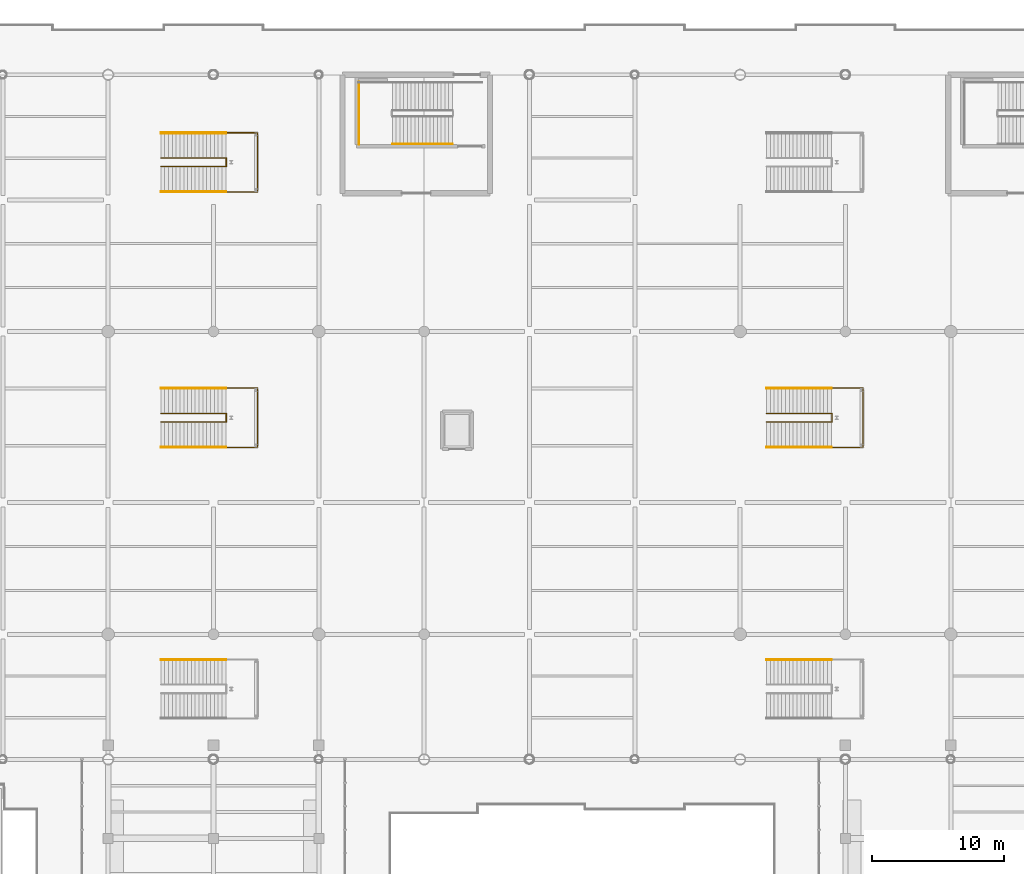
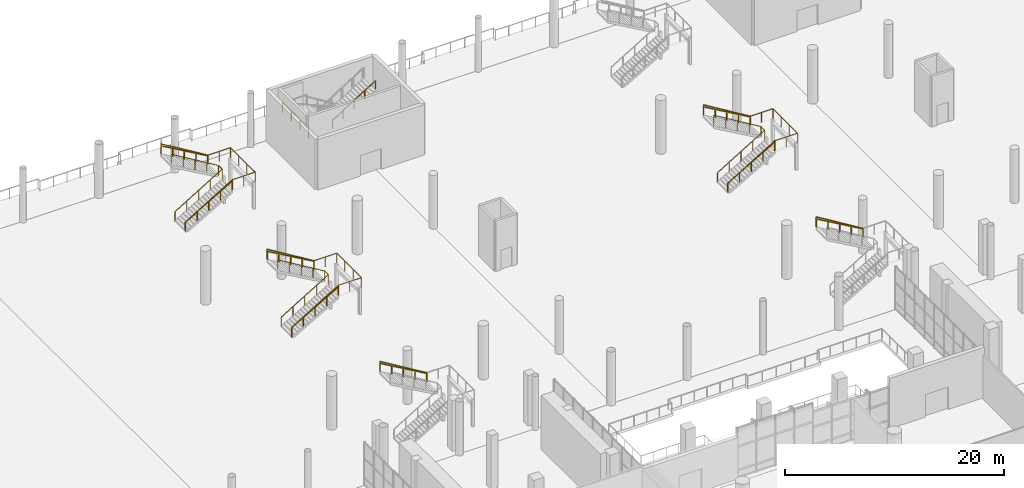
# One storey, part 160 of 163: 24 railings, 5 elements without a shape of their own.
"""IFC4 building model written with IfcOpenShell, lengths in metres."""

import ifcopenshell
import ifcopenshell.guid

model = None  # the IFC model being written
_history = None  # IfcOwnerHistory: only IFC2X3 demands one
_inside = {}  # id of a spatial element -> (the spatial element, [elements in it])
_under = {}  # id of a project, library or spatial element -> (it, [spatial elements below it])
_declared = {}  # id of a project -> (the project, [libraries it declares])
_typed = {}  # id of a type object -> (the type object, [elements of that type])
_made_of = {}  # id of a material, layer set ... -> (it, [elements and type objects made of it])


def new_model(schema):
    """Start an empty IFC model of exactly this schema.

    Asked for "IFC4X3", IfcOpenShell would pick the latest addendum, in which some entities
    have other attributes; the version numbers below select the first issue.
    IFC2X3 requires an IfcOwnerHistory on every rooted entity: one is made here for all.
    """
    global model, _history
    if schema == "IFC4X3":
        model = ifcopenshell.file(schema_version=(4, 3, 0, 0))
    else:
        model = ifcopenshell.file(schema=schema)
    _inside.clear()
    _under.clear()
    _declared.clear()
    _typed.clear()
    _made_of.clear()
    _history = None
    if model.schema == "IFC2X3":
        org = make("IfcOrganization", Name="unknown")
        user = make(
            "IfcPersonAndOrganization",
            ThePerson=make("IfcPerson", FamilyName="unknown"),
            TheOrganization=org,
        )
        app = make(
            "IfcApplication",
            ApplicationDeveloper=org,
            Version="unknown",
            ApplicationFullName="unknown",
            ApplicationIdentifier="unknown",
        )
        _history = make(
            "IfcOwnerHistory",
            OwningUser=user,
            OwningApplication=app,
            ChangeAction="ADDED",
            CreationDate=0,
        )
    return model


def make(cls, **values):
    """One entity of the class cls with the attributes given. An attribute that is None is left unset."""
    return model.create_entity(
        cls, **{name: value for name, value in values.items() if value is not None}
    )


def rooted(cls, **values):
    """An entity with a GlobalId (a new one), such as an element, a storey or a relation."""
    return make(cls, GlobalId=ifcopenshell.guid.new(), OwnerHistory=_history, **values)


def si_unit(unit_type, name, prefix=None):
    """IfcSIUnit, for example si_unit("LENGTHUNIT", "METRE", prefix="MILLI")."""
    return make("IfcSIUnit", UnitType=unit_type, Prefix=prefix, Name=name)


def assignment(units):
    """IfcUnitAssignment: the units of a project."""
    return None if units is None else make("IfcUnitAssignment", Units=units)


def point(xyz):
    """IfcCartesianPoint."""
    return None if xyz is None else make("IfcCartesianPoint", Coordinates=xyz)


def direction(xyz):
    """IfcDirection."""
    return None if xyz is None else make("IfcDirection", DirectionRatios=xyz)


def frame(location, z_axis=None, x_axis=None):
    """IfcAxis2Placement3D, a coordinate frame: its origin and axes. An axis left out is left unset."""
    return make(
        "IfcAxis2Placement3D",
        Location=point(location),
        Axis=direction(z_axis),
        RefDirection=direction(x_axis),
    )


def frame_2d(location, x_axis=None):
    """IfcAxis2Placement2D, a coordinate frame in the plane: its origin and x axis."""
    return make(
        "IfcAxis2Placement2D", Location=point(location), RefDirection=direction(x_axis)
    )


def origin():
    """The frame at (0, 0, 0) with its axes left unset."""
    return frame((0.0, 0.0, 0.0))


def origin_2d():
    """The frame at (0, 0) in the plane with its x axis left unset."""
    return frame_2d((0.0, 0.0))


def place(relative_to, where):
    """IfcLocalPlacement: puts the frame where relative to a parent placement (None: the world)."""
    return make(
        "IfcLocalPlacement", PlacementRelTo=relative_to, RelativePlacement=where
    )


def context(
    kind, dimensions, precision=None, world=None, true_north=None, identifier=None
):
    """IfcGeometricRepresentationContext, for example the 3D "Model" context."""
    return make(
        "IfcGeometricRepresentationContext",
        ContextIdentifier=identifier,
        ContextType=kind,
        CoordinateSpaceDimension=dimensions,
        Precision=precision,
        WorldCoordinateSystem=world,
        TrueNorth=true_north,
    )


def subcontext(parent, identifier, kind, view, scale=None):
    """IfcGeometricRepresentationSubContext, for example "Body" below "Model"."""
    return make(
        "IfcGeometricRepresentationSubContext",
        ContextIdentifier=identifier,
        ContextType=kind,
        ParentContext=parent,
        TargetScale=scale,
        TargetView=view,
    )


def project(units=None, contexts=None):
    """IfcProject with its units and contexts."""
    return rooted(
        "IfcProject",
        Name="project",
        RepresentationContexts=contexts,
        UnitsInContext=assignment(units),
    )


def spatial(cls, under=None, at=None, **own):
    """A site, building, storey or space (cls), placed at a placement, below another one or the project."""
    s = rooted(cls, ObjectPlacement=at, **own)
    if under is not None:
        _under.setdefault(under.id(), (under, []))[1].append(s)
    return s


def profile(cls, at=None, kind="AREA", **sizes):
    """A parametric profile (cls). Its sizes go by their IFC names, for example OverallWidth=200.0."""
    return make(cls, ProfileType=kind, Position=at, **sizes)


def rectangle(**sizes):
    """IfcRectangleProfileDef."""
    return profile("IfcRectangleProfileDef", **sizes)


def extrude(swept, where, along, depth):
    """IfcExtrudedAreaSolid: the profile swept, set in the frame where, extruded along a direction by depth."""
    return make(
        "IfcExtrudedAreaSolid",
        SweptArea=swept,
        Position=where,
        ExtrudedDirection=direction(along),
        Depth=depth,
    )


def shape(context_of_items, identifier, shape_type, items):
    """IfcShapeRepresentation: the items that make up one representation, for example the "Body"."""
    return make(
        "IfcShapeRepresentation",
        ContextOfItems=context_of_items,
        RepresentationIdentifier=identifier,
        RepresentationType=shape_type,
        Items=items,
    )


def material(Name=None, Category=None):
    """IfcMaterial."""
    return make("IfcMaterial", Name=Name, Category=Category)


def made_of(thing, what):
    """Note that an element or type object is made of a material, layer set ...; save() writes the relation."""
    if what is not None:
        _made_of.setdefault(what.id(), (what, []))[1].append(thing)
    return thing


def type_object(cls, material=None, **own):
    """A type object (cls), such as IfcWallType, which elements share."""
    return made_of(rooted(cls, **own), material)


def element(
    cls,
    number,
    at=None,
    inside=None,
    cuts=None,
    type_object=None,
    material=None,
    context=None,
    identifier="Body",
    shape_type=None,
    held_by="IfcProductDefinitionShape",
    body=None,
    shapes=None,
    **own,
):
    """One element of the class cls, such as IfcWall. Its Tag is "e" and its number.

    at: its placement. inside: the storey or other place that contains it. cuts: it is an
    opening in that element (IfcRelVoidsElement). A single representation is given by context,
    identifier, shape_type and body (its items); several are given by shapes. held_by: the class
    of the entity that holds the representations. save() writes the other relations.
    """
    e = rooted(cls, Tag="e%d" % number, ObjectPlacement=at, **own)
    if body is not None:
        shapes = [shape(context, identifier, shape_type, body)]
    if shapes is not None:
        e.Representation = make(held_by, Representations=shapes)
    if inside is not None:
        _inside.setdefault(inside.id(), (inside, []))[1].append(e)
    if cuts is not None:
        rooted(
            "IfcRelVoidsElement", RelatingBuildingElement=cuts, RelatedOpeningElement=e
        )
    if type_object is not None:
        _typed.setdefault(type_object.id(), (type_object, []))[1].append(e)
    return made_of(e, material)


def aggregate(whole, parts):
    """IfcRelAggregates: a whole, such as a stair, and the parts it consists of."""
    return rooted("IfcRelAggregates", RelatingObject=whole, RelatedObjects=parts)


def save(model, path):
    """Write the relations noted so far, then the file.

    IfcRelAggregates (storeys below a building ...), IfcRelContainedInSpatialStructure (elements
    in a storey), IfcRelDefinesByType, IfcRelAssociatesMaterial and IfcRelDeclares: one each for
    every whole, place, type object, material and project.
    """
    for whole, parts in _under.values():
        aggregate(whole, parts)
    for where, things in _inside.values():
        rooted(
            "IfcRelContainedInSpatialStructure",
            RelatedElements=things,
            RelatingStructure=where,
        )
    for kind, things in _typed.values():
        rooted("IfcRelDefinesByType", RelatedObjects=things, RelatingType=kind)
    for what, things in _made_of.values():
        rooted("IfcRelAssociatesMaterial", RelatedObjects=things, RelatingMaterial=what)
    for by, libraries in _declared.values():
        rooted("IfcRelDeclares", RelatingContext=by, RelatedDefinitions=libraries)
    model.write(path)


model = new_model("IFC4")

# Units and contexts
model_context = context("Model", 3, precision=1e-05, world=origin(), true_north=direction((0.0, 1.0)))
body_context = subcontext(model_context, "Body", "Model", "MODEL_VIEW")
ifc_project = project(units=[si_unit("LENGTHUNIT", "METRE"), si_unit("AREAUNIT", "SQUARE_METRE"), si_unit("VOLUMEUNIT", "CUBIC_METRE"), si_unit("PLANEANGLEUNIT", "RADIAN"), si_unit("MASSUNIT", "GRAM", prefix="KILO")], contexts=[model_context])

# Site, building, storey
site_placement = place(None, origin())
site = spatial("IfcSite", under=ifc_project, at=site_placement, CompositionType="ELEMENT")
building_placement = place(site_placement, origin())
building = spatial("IfcBuilding", under=site, at=building_placement, Name="Khorjan Park Terminus", CompositionType="ELEMENT")
storey_placement = place(building_placement, origin())
storey = spatial("IfcBuildingStorey", under=building, at=storey_placement, Name="L00", CompositionType="ELEMENT", Elevation=0.0)

# Railing
ifc_material_1 = material(Name="Steel S355", Category="steel")
railing_type_1 = type_object("IfcRailingType", Name="GR-112", PredefinedType="GUARDRAIL", material=ifc_material_1)
railing_1_placement = place(storey_placement, frame((75.05, 153.45, 3.0)))
element("IfcRailing", 1, at=railing_1_placement, inside=storey, type_object=railing_type_1, Name="L00 ST-06 stair guard 4", PredefinedType="GUARDRAIL", context=body_context, shape_type="SweptSolid", body=[
    extrude(rectangle(XDim=0.048, YDim=0.048, at=origin_2d()), frame((0.0, 0.0, 1.096), z_axis=(0.0, -1.0, 0.0), x_axis=(1.0, 0.0, 0.0)), (0.0, 0.0, 1.0), 4.76),
    extrude(rectangle(XDim=0.042, YDim=0.042, at=origin_2d()), origin(), (0.0, 0.0, 1.0), 1.072),
    extrude(rectangle(XDim=0.042, YDim=0.042, at=origin_2d()), frame((0.0, -1.5867, 0.0)), (0.0, 0.0, 1.0), 1.072),
    extrude(rectangle(XDim=0.042, YDim=0.042, at=origin_2d()), frame((0.0, -3.1733, 0.0)), (0.0, 0.0, 1.0), 1.072),
    extrude(rectangle(XDim=0.042, YDim=0.042, at=origin_2d()), frame((0.0, -4.76, 0.0)), (0.0, 0.0, 1.0), 1.072),
])

# Stair, railing
ifc_material_2 = material(Name="Concrete C40/50", Category="concrete")
stair_type = type_object("IfcStairType", Name="STR-PUB-200", PredefinedType="HALF_TURN_STAIR", material=ifc_material_2)
stair_1_placement = place(storey_placement, origin())
stair_1 = element("IfcStair", 2, at=stair_1_placement, inside=storey, type_object=stair_type, Name="Public passenger half-turn stair PS-01", PredefinedType="HALF_TURN_STAIR")
railing_2_placement = place(storey_placement, frame((64.93, 109.6, 3.0)))
railing_2 = element("IfcRailing", 3, at=railing_2_placement, type_object=railing_type_1, Name="Stair PS-01 upper outer flight guard GR-112", PredefinedType="GUARDRAIL", context=body_context, shape_type="SweptSolid", body=[
    extrude(rectangle(XDim=0.048, YDim=0.048, at=origin_2d()), frame((0.0, 0.0, 1.096), z_axis=(-0.854265470084, 0.0, 0.519837000051), x_axis=(0.0, -1.0, 0.0)), (0.0, 0.0, 1.0), 5.771),
    extrude(rectangle(XDim=0.042, YDim=0.042, at=origin_2d()), origin(), (0.0, 0.0, 1.0), 1.072),
    extrude(rectangle(XDim=0.042, YDim=0.042, at=origin_2d()), frame((-1.2325, 0.0, 0.75)), (0.0, 0.0, 1.0), 1.072),
    extrude(rectangle(XDim=0.042, YDim=0.042, at=origin_2d()), frame((-2.465, 0.0, 1.5)), (0.0, 0.0, 1.0), 1.072),
    extrude(rectangle(XDim=0.042, YDim=0.042, at=origin_2d()), frame((-3.6975, 0.0, 2.25)), (0.0, 0.0, 1.0), 1.072),
    extrude(rectangle(XDim=0.042, YDim=0.042, at=origin_2d()), frame((-4.93, 0.0, 3.0)), (0.0, 0.0, 1.0), 1.072),
])

stair_2_placement = place(storey_placement, origin())
stair_2 = element("IfcStair", 4, at=stair_2_placement, inside=storey, type_object=stair_type, Name="Public passenger half-turn stair PS-02", PredefinedType="HALF_TURN_STAIR")
railing_3_placement = place(storey_placement, frame((110.93, 109.6, 3.0)))
railing_3 = element("IfcRailing", 5, at=railing_3_placement, type_object=railing_type_1, Name="Stair PS-02 upper outer flight guard GR-112", PredefinedType="GUARDRAIL", context=body_context, shape_type="SweptSolid", body=[
    extrude(rectangle(XDim=0.048, YDim=0.048, at=origin_2d()), frame((0.0, 0.0, 1.096), z_axis=(-0.854265470084, 0.0, 0.519837000051), x_axis=(0.0, -1.0, 0.0)), (0.0, 0.0, 1.0), 5.771),
    extrude(rectangle(XDim=0.042, YDim=0.042, at=origin_2d()), origin(), (0.0, 0.0, 1.0), 1.072),
    extrude(rectangle(XDim=0.042, YDim=0.042, at=origin_2d()), frame((-1.2325, 0.0, 0.75)), (0.0, 0.0, 1.0), 1.072),
    extrude(rectangle(XDim=0.042, YDim=0.042, at=origin_2d()), frame((-2.465, 0.0, 1.5)), (0.0, 0.0, 1.0), 1.072),
    extrude(rectangle(XDim=0.042, YDim=0.042, at=origin_2d()), frame((-3.6975, 0.0, 2.25)), (0.0, 0.0, 1.0), 1.072),
    extrude(rectangle(XDim=0.042, YDim=0.042, at=origin_2d()), frame((-4.93, 0.0, 3.0)), (0.0, 0.0, 1.0), 1.072),
])

# Stair, railings
stair_3_placement = place(storey_placement, origin())
stair_3 = element("IfcStair", 6, at=stair_3_placement, inside=storey, type_object=stair_type, Name="Public passenger half-turn stair PS-03", PredefinedType="HALF_TURN_STAIR")
railing_4_placement = place(storey_placement, frame((60.0, 127.62, 0.0)))
railing_4 = element("IfcRailing", 7, at=railing_4_placement, type_object=railing_type_1, Name="Stair PS-03 inner well slot guard GR-112", PredefinedType="GUARDRAIL", context=body_context, shape_type="SweptSolid", body=[
    extrude(rectangle(XDim=0.048, YDim=0.048, at=origin_2d()), frame((0.0, 0.0, 1.096), z_axis=(0.856121964148, 0.0, 0.516773821418), x_axis=(0.0, 1.0, 0.0)), (0.0, 0.0, 1.0), 5.8052),
    extrude(rectangle(XDim=0.048, YDim=0.048, at=origin_2d()), frame((4.97, 0.0, 4.096), z_axis=(0.0, 1.0, 0.0), x_axis=(-1.0, 0.0, 0.0)), (0.0, 0.0, 1.0), 0.66),
    extrude(rectangle(XDim=0.048, YDim=0.048, at=origin_2d()), frame((4.97, 0.66, 4.096), z_axis=(-0.856121964148, 0.0, 0.516773821418), x_axis=(0.0, -1.0, 0.0)), (0.0, 0.0, 1.0), 5.8052),
    extrude(rectangle(XDim=0.042, YDim=0.042, at=origin_2d()), origin(), (0.0, 0.0, 1.0), 1.072),
    extrude(rectangle(XDim=0.042, YDim=0.042, at=origin_2d()), frame((1.2425, 0.0, 0.75)), (0.0, 0.0, 1.0), 1.072),
    extrude(rectangle(XDim=0.042, YDim=0.042, at=origin_2d()), frame((2.485, 0.0, 1.5)), (0.0, 0.0, 1.0), 1.072),
    extrude(rectangle(XDim=0.042, YDim=0.042, at=origin_2d()), frame((3.7275, 0.0, 2.25)), (0.0, 0.0, 1.0), 1.072),
    extrude(rectangle(XDim=0.042, YDim=0.042, at=origin_2d()), frame((4.97, 0.0, 3.0)), (0.0, 0.0, 1.0), 1.072),
    extrude(rectangle(XDim=0.042, YDim=0.042, at=origin_2d()), frame((4.97, 0.66, 3.0)), (0.0, 0.0, 1.0), 1.072),
    extrude(rectangle(XDim=0.042, YDim=0.042, at=origin_2d()), frame((3.7275, 0.66, 3.75)), (0.0, 0.0, 1.0), 1.072),
    extrude(rectangle(XDim=0.042, YDim=0.042, at=origin_2d()), frame((2.485, 0.66, 4.5)), (0.0, 0.0, 1.0), 1.072),
    extrude(rectangle(XDim=0.042, YDim=0.042, at=origin_2d()), frame((1.2425, 0.66, 5.25)), (0.0, 0.0, 1.0), 1.072),
    extrude(rectangle(XDim=0.042, YDim=0.042, at=origin_2d()), frame((0.0, 0.66, 6.0)), (0.0, 0.0, 1.0), 1.072),
])
railing_5_placement = place(storey_placement, frame((64.93, 125.7, 3.0)))
railing_5 = element("IfcRailing", 8, at=railing_5_placement, type_object=railing_type_1, Name="Stair PS-03 horizontal half-landing guard GR-112", PredefinedType="GUARDRAIL", context=body_context, shape_type="SweptSolid", body=[
    extrude(rectangle(XDim=0.048, YDim=0.048, at=origin_2d()), frame((0.0, 0.0, 1.096), z_axis=(1.0, 0.0, 0.0), x_axis=(0.0, 1.0, 0.0)), (0.0, 0.0, 1.0), 2.41),
    extrude(rectangle(XDim=0.048, YDim=0.048, at=origin_2d()), frame((2.41, 0.0, 1.096), z_axis=(0.0, 1.0, 0.0), x_axis=(-1.0, 0.0, 0.0)), (0.0, 0.0, 1.0), 4.5),
    extrude(rectangle(XDim=0.048, YDim=0.048, at=origin_2d()), frame((2.41, 4.5, 1.096), z_axis=(-1.0, 0.0, 0.0), x_axis=(0.0, -1.0, 0.0)), (0.0, 0.0, 1.0), 2.41),
    extrude(rectangle(XDim=0.042, YDim=0.042, at=origin_2d()), origin(), (0.0, 0.0, 1.0), 1.072),
    extrude(rectangle(XDim=0.042, YDim=0.042, at=origin_2d()), frame((1.205, 0.0, 0.0)), (0.0, 0.0, 1.0), 1.072),
    extrude(rectangle(XDim=0.042, YDim=0.042, at=origin_2d()), frame((2.41, 0.0, 0.0)), (0.0, 0.0, 1.0), 1.072),
    extrude(rectangle(XDim=0.042, YDim=0.042, at=origin_2d()), frame((2.41, 1.5, 0.0)), (0.0, 0.0, 1.0), 1.072),
    extrude(rectangle(XDim=0.042, YDim=0.042, at=origin_2d()), frame((2.41, 3.0, 0.0)), (0.0, 0.0, 1.0), 1.072),
    extrude(rectangle(XDim=0.042, YDim=0.042, at=origin_2d()), frame((2.41, 4.5, 0.0)), (0.0, 0.0, 1.0), 1.072),
    extrude(rectangle(XDim=0.042, YDim=0.042, at=origin_2d()), frame((1.205, 4.5, 0.0)), (0.0, 0.0, 1.0), 1.072),
    extrude(rectangle(XDim=0.042, YDim=0.042, at=origin_2d()), frame((0.0, 4.5, 0.0)), (0.0, 0.0, 1.0), 1.072),
])
railing_6_placement = place(storey_placement, frame((60.0, 125.7, 0.0)))
railing_6 = element("IfcRailing", 9, at=railing_6_placement, type_object=railing_type_1, Name="Stair PS-03 lower outer flight guard GR-112", PredefinedType="GUARDRAIL", context=body_context, shape_type="SweptSolid", body=[
    extrude(rectangle(XDim=0.048, YDim=0.048, at=origin_2d()), frame((0.0, 0.0, 1.096), z_axis=(0.854265470084, 0.0, 0.519837000051), x_axis=(0.0, 1.0, 0.0)), (0.0, 0.0, 1.0), 5.771),
    extrude(rectangle(XDim=0.042, YDim=0.042, at=origin_2d()), origin(), (0.0, 0.0, 1.0), 1.072),
    extrude(rectangle(XDim=0.042, YDim=0.042, at=origin_2d()), frame((1.2325, 0.0, 0.75)), (0.0, 0.0, 1.0), 1.072),
    extrude(rectangle(XDim=0.042, YDim=0.042, at=origin_2d()), frame((2.465, 0.0, 1.5)), (0.0, 0.0, 1.0), 1.072),
    extrude(rectangle(XDim=0.042, YDim=0.042, at=origin_2d()), frame((3.6975, 0.0, 2.25)), (0.0, 0.0, 1.0), 1.072),
    extrude(rectangle(XDim=0.042, YDim=0.042, at=origin_2d()), frame((4.93, 0.0, 3.0)), (0.0, 0.0, 1.0), 1.072),
])
railing_7_placement = place(storey_placement, frame((64.93, 130.2, 3.0)))
railing_7 = element("IfcRailing", 10, at=railing_7_placement, type_object=railing_type_1, Name="Stair PS-03 upper outer flight guard GR-112", PredefinedType="GUARDRAIL", context=body_context, shape_type="SweptSolid", body=[
    extrude(rectangle(XDim=0.048, YDim=0.048, at=origin_2d()), frame((0.0, 0.0, 1.096), z_axis=(-0.854265470084, 0.0, 0.519837000051), x_axis=(0.0, -1.0, 0.0)), (0.0, 0.0, 1.0), 5.771),
    extrude(rectangle(XDim=0.042, YDim=0.042, at=origin_2d()), origin(), (0.0, 0.0, 1.0), 1.072),
    extrude(rectangle(XDim=0.042, YDim=0.042, at=origin_2d()), frame((-1.2325, 0.0, 0.75)), (0.0, 0.0, 1.0), 1.072),
    extrude(rectangle(XDim=0.042, YDim=0.042, at=origin_2d()), frame((-2.465, 0.0, 1.5)), (0.0, 0.0, 1.0), 1.072),
    extrude(rectangle(XDim=0.042, YDim=0.042, at=origin_2d()), frame((-3.6975, 0.0, 2.25)), (0.0, 0.0, 1.0), 1.072),
    extrude(rectangle(XDim=0.042, YDim=0.042, at=origin_2d()), frame((-4.93, 0.0, 3.0)), (0.0, 0.0, 1.0), 1.072),
])

stair_4_placement = place(storey_placement, origin())
stair_4 = element("IfcStair", 11, at=stair_4_placement, inside=storey, type_object=stair_type, Name="Public passenger half-turn stair PS-04", PredefinedType="HALF_TURN_STAIR")
railing_8_placement = place(storey_placement, frame((106.0, 127.62, 0.0)))
railing_8 = element("IfcRailing", 12, at=railing_8_placement, type_object=railing_type_1, Name="Stair PS-04 inner well slot guard GR-112", PredefinedType="GUARDRAIL", context=body_context, shape_type="SweptSolid", body=[
    extrude(rectangle(XDim=0.048, YDim=0.048, at=origin_2d()), frame((0.0, 0.0, 1.096), z_axis=(0.856121964148, 0.0, 0.516773821418), x_axis=(0.0, 1.0, 0.0)), (0.0, 0.0, 1.0), 5.8052),
    extrude(rectangle(XDim=0.048, YDim=0.048, at=origin_2d()), frame((4.97, 0.0, 4.096), z_axis=(0.0, 1.0, 0.0), x_axis=(-1.0, 0.0, 0.0)), (0.0, 0.0, 1.0), 0.66),
    extrude(rectangle(XDim=0.048, YDim=0.048, at=origin_2d()), frame((4.97, 0.66, 4.096), z_axis=(-0.856121964148, 0.0, 0.516773821418), x_axis=(0.0, -1.0, 0.0)), (0.0, 0.0, 1.0), 5.8052),
    extrude(rectangle(XDim=0.042, YDim=0.042, at=origin_2d()), origin(), (0.0, 0.0, 1.0), 1.072),
    extrude(rectangle(XDim=0.042, YDim=0.042, at=origin_2d()), frame((1.2425, 0.0, 0.75)), (0.0, 0.0, 1.0), 1.072),
    extrude(rectangle(XDim=0.042, YDim=0.042, at=origin_2d()), frame((2.485, 0.0, 1.5)), (0.0, 0.0, 1.0), 1.072),
    extrude(rectangle(XDim=0.042, YDim=0.042, at=origin_2d()), frame((3.7275, 0.0, 2.25)), (0.0, 0.0, 1.0), 1.072),
    extrude(rectangle(XDim=0.042, YDim=0.042, at=origin_2d()), frame((4.97, 0.0, 3.0)), (0.0, 0.0, 1.0), 1.072),
    extrude(rectangle(XDim=0.042, YDim=0.042, at=origin_2d()), frame((4.97, 0.66, 3.0)), (0.0, 0.0, 1.0), 1.072),
    extrude(rectangle(XDim=0.042, YDim=0.042, at=origin_2d()), frame((3.7275, 0.66, 3.75)), (0.0, 0.0, 1.0), 1.072),
    extrude(rectangle(XDim=0.042, YDim=0.042, at=origin_2d()), frame((2.485, 0.66, 4.5)), (0.0, 0.0, 1.0), 1.072),
    extrude(rectangle(XDim=0.042, YDim=0.042, at=origin_2d()), frame((1.2425, 0.66, 5.25)), (0.0, 0.0, 1.0), 1.072),
    extrude(rectangle(XDim=0.042, YDim=0.042, at=origin_2d()), frame((0.0, 0.66, 6.0)), (0.0, 0.0, 1.0), 1.072),
])
railing_9_placement = place(storey_placement, frame((110.93, 125.7, 3.0)))
railing_9 = element("IfcRailing", 13, at=railing_9_placement, type_object=railing_type_1, Name="Stair PS-04 horizontal half-landing guard GR-112", PredefinedType="GUARDRAIL", context=body_context, shape_type="SweptSolid", body=[
    extrude(rectangle(XDim=0.048, YDim=0.048, at=origin_2d()), frame((0.0, 0.0, 1.096), z_axis=(1.0, 0.0, 0.0), x_axis=(0.0, 1.0, 0.0)), (0.0, 0.0, 1.0), 2.41),
    extrude(rectangle(XDim=0.048, YDim=0.048, at=origin_2d()), frame((2.41, 0.0, 1.096), z_axis=(0.0, 1.0, 0.0), x_axis=(-1.0, 0.0, 0.0)), (0.0, 0.0, 1.0), 4.5),
    extrude(rectangle(XDim=0.048, YDim=0.048, at=origin_2d()), frame((2.41, 4.5, 1.096), z_axis=(-1.0, 0.0, 0.0), x_axis=(0.0, -1.0, 0.0)), (0.0, 0.0, 1.0), 2.41),
    extrude(rectangle(XDim=0.042, YDim=0.042, at=origin_2d()), origin(), (0.0, 0.0, 1.0), 1.072),
    extrude(rectangle(XDim=0.042, YDim=0.042, at=origin_2d()), frame((1.205, 0.0, 0.0)), (0.0, 0.0, 1.0), 1.072),
    extrude(rectangle(XDim=0.042, YDim=0.042, at=origin_2d()), frame((2.41, 0.0, 0.0)), (0.0, 0.0, 1.0), 1.072),
    extrude(rectangle(XDim=0.042, YDim=0.042, at=origin_2d()), frame((2.41, 1.5, 0.0)), (0.0, 0.0, 1.0), 1.072),
    extrude(rectangle(XDim=0.042, YDim=0.042, at=origin_2d()), frame((2.41, 3.0, 0.0)), (0.0, 0.0, 1.0), 1.072),
    extrude(rectangle(XDim=0.042, YDim=0.042, at=origin_2d()), frame((2.41, 4.5, 0.0)), (0.0, 0.0, 1.0), 1.072),
    extrude(rectangle(XDim=0.042, YDim=0.042, at=origin_2d()), frame((1.205, 4.5, 0.0)), (0.0, 0.0, 1.0), 1.072),
    extrude(rectangle(XDim=0.042, YDim=0.042, at=origin_2d()), frame((0.0, 4.5, 0.0)), (0.0, 0.0, 1.0), 1.072),
])
railing_10_placement = place(storey_placement, frame((106.0, 125.7, 0.0)))
railing_10 = element("IfcRailing", 14, at=railing_10_placement, type_object=railing_type_1, Name="Stair PS-04 lower outer flight guard GR-112", PredefinedType="GUARDRAIL", context=body_context, shape_type="SweptSolid", body=[
    extrude(rectangle(XDim=0.048, YDim=0.048, at=origin_2d()), frame((0.0, 0.0, 1.096), z_axis=(0.854265470084, 0.0, 0.519837000051), x_axis=(0.0, 1.0, 0.0)), (0.0, 0.0, 1.0), 5.771),
    extrude(rectangle(XDim=0.042, YDim=0.042, at=origin_2d()), origin(), (0.0, 0.0, 1.0), 1.072),
    extrude(rectangle(XDim=0.042, YDim=0.042, at=origin_2d()), frame((1.2325, 0.0, 0.75)), (0.0, 0.0, 1.0), 1.072),
    extrude(rectangle(XDim=0.042, YDim=0.042, at=origin_2d()), frame((2.465, 0.0, 1.5)), (0.0, 0.0, 1.0), 1.072),
    extrude(rectangle(XDim=0.042, YDim=0.042, at=origin_2d()), frame((3.6975, 0.0, 2.25)), (0.0, 0.0, 1.0), 1.072),
    extrude(rectangle(XDim=0.042, YDim=0.042, at=origin_2d()), frame((4.93, 0.0, 3.0)), (0.0, 0.0, 1.0), 1.072),
])
railing_11_placement = place(storey_placement, frame((110.93, 130.2, 3.0)))
railing_11 = element("IfcRailing", 15, at=railing_11_placement, type_object=railing_type_1, Name="Stair PS-04 upper outer flight guard GR-112", PredefinedType="GUARDRAIL", context=body_context, shape_type="SweptSolid", body=[
    extrude(rectangle(XDim=0.048, YDim=0.048, at=origin_2d()), frame((0.0, 0.0, 1.096), z_axis=(-0.854265470084, 0.0, 0.519837000051), x_axis=(0.0, -1.0, 0.0)), (0.0, 0.0, 1.0), 5.771),
    extrude(rectangle(XDim=0.042, YDim=0.042, at=origin_2d()), origin(), (0.0, 0.0, 1.0), 1.072),
    extrude(rectangle(XDim=0.042, YDim=0.042, at=origin_2d()), frame((-1.2325, 0.0, 0.75)), (0.0, 0.0, 1.0), 1.072),
    extrude(rectangle(XDim=0.042, YDim=0.042, at=origin_2d()), frame((-2.465, 0.0, 1.5)), (0.0, 0.0, 1.0), 1.072),
    extrude(rectangle(XDim=0.042, YDim=0.042, at=origin_2d()), frame((-3.6975, 0.0, 2.25)), (0.0, 0.0, 1.0), 1.072),
    extrude(rectangle(XDim=0.042, YDim=0.042, at=origin_2d()), frame((-4.93, 0.0, 3.0)), (0.0, 0.0, 1.0), 1.072),
])

stair_5_placement = place(storey_placement, origin())
stair_5 = element("IfcStair", 16, at=stair_5_placement, inside=storey, type_object=stair_type, Name="Public passenger half-turn stair PS-05", PredefinedType="HALF_TURN_STAIR")
railing_12_placement = place(storey_placement, frame((60.0, 147.02, 0.0)))
railing_12 = element("IfcRailing", 17, at=railing_12_placement, type_object=railing_type_1, Name="Stair PS-05 inner well slot guard GR-112", PredefinedType="GUARDRAIL", context=body_context, shape_type="SweptSolid", body=[
    extrude(rectangle(XDim=0.048, YDim=0.048, at=origin_2d()), frame((0.0, 0.0, 1.096), z_axis=(0.856121964148, 0.0, 0.516773821418), x_axis=(0.0, 1.0, 0.0)), (0.0, 0.0, 1.0), 5.8052),
    extrude(rectangle(XDim=0.048, YDim=0.048, at=origin_2d()), frame((4.97, 0.0, 4.096), z_axis=(0.0, 1.0, 0.0), x_axis=(-1.0, 0.0, 0.0)), (0.0, 0.0, 1.0), 0.66),
    extrude(rectangle(XDim=0.048, YDim=0.048, at=origin_2d()), frame((4.97, 0.66, 4.096), z_axis=(-0.856121964148, 0.0, 0.516773821418), x_axis=(0.0, -1.0, 0.0)), (0.0, 0.0, 1.0), 5.8052),
    extrude(rectangle(XDim=0.042, YDim=0.042, at=origin_2d()), origin(), (0.0, 0.0, 1.0), 1.072),
    extrude(rectangle(XDim=0.042, YDim=0.042, at=origin_2d()), frame((1.2425, 0.0, 0.75)), (0.0, 0.0, 1.0), 1.072),
    extrude(rectangle(XDim=0.042, YDim=0.042, at=origin_2d()), frame((2.485, 0.0, 1.5)), (0.0, 0.0, 1.0), 1.072),
    extrude(rectangle(XDim=0.042, YDim=0.042, at=origin_2d()), frame((3.7275, 0.0, 2.25)), (0.0, 0.0, 1.0), 1.072),
    extrude(rectangle(XDim=0.042, YDim=0.042, at=origin_2d()), frame((4.97, 0.0, 3.0)), (0.0, 0.0, 1.0), 1.072),
    extrude(rectangle(XDim=0.042, YDim=0.042, at=origin_2d()), frame((4.97, 0.66, 3.0)), (0.0, 0.0, 1.0), 1.072),
    extrude(rectangle(XDim=0.042, YDim=0.042, at=origin_2d()), frame((3.7275, 0.66, 3.75)), (0.0, 0.0, 1.0), 1.072),
    extrude(rectangle(XDim=0.042, YDim=0.042, at=origin_2d()), frame((2.485, 0.66, 4.5)), (0.0, 0.0, 1.0), 1.072),
    extrude(rectangle(XDim=0.042, YDim=0.042, at=origin_2d()), frame((1.2425, 0.66, 5.25)), (0.0, 0.0, 1.0), 1.072),
    extrude(rectangle(XDim=0.042, YDim=0.042, at=origin_2d()), frame((0.0, 0.66, 6.0)), (0.0, 0.0, 1.0), 1.072),
])
railing_13_placement = place(storey_placement, frame((64.93, 145.1, 3.0)))
railing_13 = element("IfcRailing", 18, at=railing_13_placement, type_object=railing_type_1, Name="Stair PS-05 horizontal half-landing guard GR-112", PredefinedType="GUARDRAIL", context=body_context, shape_type="SweptSolid", body=[
    extrude(rectangle(XDim=0.048, YDim=0.048, at=origin_2d()), frame((0.0, 0.0, 1.096), z_axis=(1.0, 0.0, 0.0), x_axis=(0.0, 1.0, 0.0)), (0.0, 0.0, 1.0), 2.41),
    extrude(rectangle(XDim=0.048, YDim=0.048, at=origin_2d()), frame((2.41, 0.0, 1.096), z_axis=(0.0, 1.0, 0.0), x_axis=(-1.0, 0.0, 0.0)), (0.0, 0.0, 1.0), 4.5),
    extrude(rectangle(XDim=0.048, YDim=0.048, at=origin_2d()), frame((2.41, 4.5, 1.096), z_axis=(-1.0, 0.0, 0.0), x_axis=(0.0, -1.0, 0.0)), (0.0, 0.0, 1.0), 2.41),
    extrude(rectangle(XDim=0.042, YDim=0.042, at=origin_2d()), origin(), (0.0, 0.0, 1.0), 1.072),
    extrude(rectangle(XDim=0.042, YDim=0.042, at=origin_2d()), frame((1.205, 0.0, 0.0)), (0.0, 0.0, 1.0), 1.072),
    extrude(rectangle(XDim=0.042, YDim=0.042, at=origin_2d()), frame((2.41, 0.0, 0.0)), (0.0, 0.0, 1.0), 1.072),
    extrude(rectangle(XDim=0.042, YDim=0.042, at=origin_2d()), frame((2.41, 1.5, 0.0)), (0.0, 0.0, 1.0), 1.072),
    extrude(rectangle(XDim=0.042, YDim=0.042, at=origin_2d()), frame((2.41, 3.0, 0.0)), (0.0, 0.0, 1.0), 1.072),
    extrude(rectangle(XDim=0.042, YDim=0.042, at=origin_2d()), frame((2.41, 4.5, 0.0)), (0.0, 0.0, 1.0), 1.072),
    extrude(rectangle(XDim=0.042, YDim=0.042, at=origin_2d()), frame((1.205, 4.5, 0.0)), (0.0, 0.0, 1.0), 1.072),
    extrude(rectangle(XDim=0.042, YDim=0.042, at=origin_2d()), frame((0.0, 4.5, 0.0)), (0.0, 0.0, 1.0), 1.072),
])
railing_14_placement = place(storey_placement, frame((60.0, 145.1, 0.0)))
railing_14 = element("IfcRailing", 19, at=railing_14_placement, type_object=railing_type_1, Name="Stair PS-05 lower outer flight guard GR-112", PredefinedType="GUARDRAIL", context=body_context, shape_type="SweptSolid", body=[
    extrude(rectangle(XDim=0.048, YDim=0.048, at=origin_2d()), frame((0.0, 0.0, 1.096), z_axis=(0.854265470084, 0.0, 0.519837000051), x_axis=(0.0, 1.0, 0.0)), (0.0, 0.0, 1.0), 5.771),
    extrude(rectangle(XDim=0.042, YDim=0.042, at=origin_2d()), origin(), (0.0, 0.0, 1.0), 1.072),
    extrude(rectangle(XDim=0.042, YDim=0.042, at=origin_2d()), frame((1.2325, 0.0, 0.75)), (0.0, 0.0, 1.0), 1.072),
    extrude(rectangle(XDim=0.042, YDim=0.042, at=origin_2d()), frame((2.465, 0.0, 1.5)), (0.0, 0.0, 1.0), 1.072),
    extrude(rectangle(XDim=0.042, YDim=0.042, at=origin_2d()), frame((3.6975, 0.0, 2.25)), (0.0, 0.0, 1.0), 1.072),
    extrude(rectangle(XDim=0.042, YDim=0.042, at=origin_2d()), frame((4.93, 0.0, 3.0)), (0.0, 0.0, 1.0), 1.072),
])
railing_15_placement = place(storey_placement, frame((64.93, 149.6, 3.0)))
railing_15 = element("IfcRailing", 20, at=railing_15_placement, type_object=railing_type_1, Name="Stair PS-05 upper outer flight guard GR-112", PredefinedType="GUARDRAIL", context=body_context, shape_type="SweptSolid", body=[
    extrude(rectangle(XDim=0.048, YDim=0.048, at=origin_2d()), frame((0.0, 0.0, 1.096), z_axis=(-0.854265470084, 0.0, 0.519837000051), x_axis=(0.0, -1.0, 0.0)), (0.0, 0.0, 1.0), 5.771),
    extrude(rectangle(XDim=0.042, YDim=0.042, at=origin_2d()), origin(), (0.0, 0.0, 1.0), 1.072),
    extrude(rectangle(XDim=0.042, YDim=0.042, at=origin_2d()), frame((-1.2325, 0.0, 0.75)), (0.0, 0.0, 1.0), 1.072),
    extrude(rectangle(XDim=0.042, YDim=0.042, at=origin_2d()), frame((-2.465, 0.0, 1.5)), (0.0, 0.0, 1.0), 1.072),
    extrude(rectangle(XDim=0.042, YDim=0.042, at=origin_2d()), frame((-3.6975, 0.0, 2.25)), (0.0, 0.0, 1.0), 1.072),
    extrude(rectangle(XDim=0.042, YDim=0.042, at=origin_2d()), frame((-4.93, 0.0, 3.0)), (0.0, 0.0, 1.0), 1.072),
])

# Railing
railing_type_2 = type_object("IfcRailingType", Name="HR-92", PredefinedType="HANDRAIL", material=ifc_material_1)
railing_16_placement = place(storey_placement, frame((77.58, 148.74, 3.1765)))
element("IfcRailing", 21, at=railing_16_placement, inside=storey, type_object=railing_type_2, Name="L00 ST-06 stair handrail 2", PredefinedType="HANDRAIL", context=body_context, shape_type="SweptSolid", body=[
    extrude(rectangle(XDim=0.048, YDim=0.048, at=origin_2d()), frame((0.0, 0.0, 0.896), z_axis=(0.850211499722, 0.0, 0.526441265234), x_axis=(0.0, 1.0, 0.0)), (0.0, 0.0, 1.0), 5.3634),
    extrude(rectangle(XDim=0.042, YDim=0.042, at=origin_2d()), origin(), (0.0, 0.0, 1.0), 0.872),
    extrude(rectangle(XDim=0.042, YDim=0.042, at=origin_2d()), frame((1.14, 0.0, 0.7059)), (0.0, 0.0, 1.0), 0.872),
    extrude(rectangle(XDim=0.042, YDim=0.042, at=origin_2d()), frame((2.28, 0.0, 1.4118)), (0.0, 0.0, 1.0), 0.872),
    extrude(rectangle(XDim=0.042, YDim=0.042, at=origin_2d()), frame((3.42, 0.0, 2.1176)), (0.0, 0.0, 1.0), 0.872),
    extrude(rectangle(XDim=0.042, YDim=0.042, at=origin_2d()), frame((4.56, 0.0, 2.8235)), (0.0, 0.0, 1.0), 0.872),
])

railing_17_placement = place(storey_placement, frame((64.93, 109.56, 3.1667)))
railing_17 = element("IfcRailing", 22, at=railing_17_placement, type_object=railing_type_2, Name="Stair PS-01 upper handrail HR-92", PredefinedType="HANDRAIL", context=body_context, shape_type="SweptSolid", body=[
    extrude(rectangle(XDim=0.048, YDim=0.048, at=origin_2d()), frame((0.0, 0.0, 0.896), z_axis=(-0.867016476548, 0.0, 0.498279469169), x_axis=(0.0, -1.0, 0.0)), (0.0, 0.0, 1.0), 5.6862),
    extrude(rectangle(XDim=0.042, YDim=0.042, at=origin_2d()), origin(), (0.0, 0.0, 1.0), 0.872),
    extrude(rectangle(XDim=0.042, YDim=0.042, at=origin_2d()), frame((-1.2325, 0.0, 0.7083)), (0.0, 0.0, 1.0), 0.872),
    extrude(rectangle(XDim=0.042, YDim=0.042, at=origin_2d()), frame((-2.465, 0.0, 1.4166)), (0.0, 0.0, 1.0), 0.872),
    extrude(rectangle(XDim=0.042, YDim=0.042, at=origin_2d()), frame((-3.6975, 0.0, 2.125)), (0.0, 0.0, 1.0), 0.872),
    extrude(rectangle(XDim=0.042, YDim=0.042, at=origin_2d()), frame((-4.93, 0.0, 2.8333)), (0.0, 0.0, 1.0), 0.872),
])

aggregate(stair_1, [railing_17, railing_2])

railing_18_placement = place(storey_placement, frame((110.93, 109.56, 3.1667)))
railing_18 = element("IfcRailing", 23, at=railing_18_placement, type_object=railing_type_2, Name="Stair PS-02 upper handrail HR-92", PredefinedType="HANDRAIL", context=body_context, shape_type="SweptSolid", body=[
    extrude(rectangle(XDim=0.048, YDim=0.048, at=origin_2d()), frame((0.0, 0.0, 0.896), z_axis=(-0.867016476548, 0.0, 0.498279469169), x_axis=(0.0, -1.0, 0.0)), (0.0, 0.0, 1.0), 5.6862),
    extrude(rectangle(XDim=0.042, YDim=0.042, at=origin_2d()), origin(), (0.0, 0.0, 1.0), 0.872),
    extrude(rectangle(XDim=0.042, YDim=0.042, at=origin_2d()), frame((-1.2325, 0.0, 0.7083)), (0.0, 0.0, 1.0), 0.872),
    extrude(rectangle(XDim=0.042, YDim=0.042, at=origin_2d()), frame((-2.465, 0.0, 1.4166)), (0.0, 0.0, 1.0), 0.872),
    extrude(rectangle(XDim=0.042, YDim=0.042, at=origin_2d()), frame((-3.6975, 0.0, 2.125)), (0.0, 0.0, 1.0), 0.872),
    extrude(rectangle(XDim=0.042, YDim=0.042, at=origin_2d()), frame((-4.93, 0.0, 2.8333)), (0.0, 0.0, 1.0), 0.872),
])

aggregate(stair_2, [railing_18, railing_3])

railing_19_placement = place(storey_placement, frame((60.0, 125.74, 0.1667)))
railing_19 = element("IfcRailing", 24, at=railing_19_placement, type_object=railing_type_2, Name="Stair PS-03 lower handrail HR-92", PredefinedType="HANDRAIL", context=body_context, shape_type="SweptSolid", body=[
    extrude(rectangle(XDim=0.048, YDim=0.048, at=origin_2d()), frame((0.0, 0.0, 0.896), z_axis=(0.867016476548, 0.0, 0.498279469169), x_axis=(0.0, 1.0, 0.0)), (0.0, 0.0, 1.0), 5.6862),
    extrude(rectangle(XDim=0.042, YDim=0.042, at=origin_2d()), origin(), (0.0, 0.0, 1.0), 0.872),
    extrude(rectangle(XDim=0.042, YDim=0.042, at=origin_2d()), frame((1.2325, 0.0, 0.7083)), (0.0, 0.0, 1.0), 0.872),
    extrude(rectangle(XDim=0.042, YDim=0.042, at=origin_2d()), frame((2.465, 0.0, 1.4166)), (0.0, 0.0, 1.0), 0.872),
    extrude(rectangle(XDim=0.042, YDim=0.042, at=origin_2d()), frame((3.6975, 0.0, 2.125)), (0.0, 0.0, 1.0), 0.872),
    extrude(rectangle(XDim=0.042, YDim=0.042, at=origin_2d()), frame((4.93, 0.0, 2.8333)), (0.0, 0.0, 1.0), 0.872),
])

railing_20_placement = place(storey_placement, frame((64.93, 130.16, 3.1667)))
railing_20 = element("IfcRailing", 25, at=railing_20_placement, type_object=railing_type_2, Name="Stair PS-03 upper handrail HR-92", PredefinedType="HANDRAIL", context=body_context, shape_type="SweptSolid", body=[
    extrude(rectangle(XDim=0.048, YDim=0.048, at=origin_2d()), frame((0.0, 0.0, 0.896), z_axis=(-0.867016476548, 0.0, 0.498279469169), x_axis=(0.0, -1.0, 0.0)), (0.0, 0.0, 1.0), 5.6862),
    extrude(rectangle(XDim=0.042, YDim=0.042, at=origin_2d()), origin(), (0.0, 0.0, 1.0), 0.872),
    extrude(rectangle(XDim=0.042, YDim=0.042, at=origin_2d()), frame((-1.2325, 0.0, 0.7083)), (0.0, 0.0, 1.0), 0.872),
    extrude(rectangle(XDim=0.042, YDim=0.042, at=origin_2d()), frame((-2.465, 0.0, 1.4166)), (0.0, 0.0, 1.0), 0.872),
    extrude(rectangle(XDim=0.042, YDim=0.042, at=origin_2d()), frame((-3.6975, 0.0, 2.125)), (0.0, 0.0, 1.0), 0.872),
    extrude(rectangle(XDim=0.042, YDim=0.042, at=origin_2d()), frame((-4.93, 0.0, 2.8333)), (0.0, 0.0, 1.0), 0.872),
])

aggregate(stair_3, [railing_19, railing_20, railing_4, railing_5, railing_6, railing_7])

railing_21_placement = place(storey_placement, frame((106.0, 125.74, 0.1667)))
railing_21 = element("IfcRailing", 26, at=railing_21_placement, type_object=railing_type_2, Name="Stair PS-04 lower handrail HR-92", PredefinedType="HANDRAIL", context=body_context, shape_type="SweptSolid", body=[
    extrude(rectangle(XDim=0.048, YDim=0.048, at=origin_2d()), frame((0.0, 0.0, 0.896), z_axis=(0.867016476548, 0.0, 0.498279469169), x_axis=(0.0, 1.0, 0.0)), (0.0, 0.0, 1.0), 5.6862),
    extrude(rectangle(XDim=0.042, YDim=0.042, at=origin_2d()), origin(), (0.0, 0.0, 1.0), 0.872),
    extrude(rectangle(XDim=0.042, YDim=0.042, at=origin_2d()), frame((1.2325, 0.0, 0.7083)), (0.0, 0.0, 1.0), 0.872),
    extrude(rectangle(XDim=0.042, YDim=0.042, at=origin_2d()), frame((2.465, 0.0, 1.4166)), (0.0, 0.0, 1.0), 0.872),
    extrude(rectangle(XDim=0.042, YDim=0.042, at=origin_2d()), frame((3.6975, 0.0, 2.125)), (0.0, 0.0, 1.0), 0.872),
    extrude(rectangle(XDim=0.042, YDim=0.042, at=origin_2d()), frame((4.93, 0.0, 2.8333)), (0.0, 0.0, 1.0), 0.872),
])

railing_22_placement = place(storey_placement, frame((110.93, 130.16, 3.1667)))
railing_22 = element("IfcRailing", 27, at=railing_22_placement, type_object=railing_type_2, Name="Stair PS-04 upper handrail HR-92", PredefinedType="HANDRAIL", context=body_context, shape_type="SweptSolid", body=[
    extrude(rectangle(XDim=0.048, YDim=0.048, at=origin_2d()), frame((0.0, 0.0, 0.896), z_axis=(-0.867016476548, 0.0, 0.498279469169), x_axis=(0.0, -1.0, 0.0)), (0.0, 0.0, 1.0), 5.6862),
    extrude(rectangle(XDim=0.042, YDim=0.042, at=origin_2d()), origin(), (0.0, 0.0, 1.0), 0.872),
    extrude(rectangle(XDim=0.042, YDim=0.042, at=origin_2d()), frame((-1.2325, 0.0, 0.7083)), (0.0, 0.0, 1.0), 0.872),
    extrude(rectangle(XDim=0.042, YDim=0.042, at=origin_2d()), frame((-2.465, 0.0, 1.4166)), (0.0, 0.0, 1.0), 0.872),
    extrude(rectangle(XDim=0.042, YDim=0.042, at=origin_2d()), frame((-3.6975, 0.0, 2.125)), (0.0, 0.0, 1.0), 0.872),
    extrude(rectangle(XDim=0.042, YDim=0.042, at=origin_2d()), frame((-4.93, 0.0, 2.8333)), (0.0, 0.0, 1.0), 0.872),
])

aggregate(stair_4, [railing_21, railing_22, railing_8, railing_9, railing_10, railing_11])

railing_23_placement = place(storey_placement, frame((60.0, 145.14, 0.1667)))
railing_23 = element("IfcRailing", 28, at=railing_23_placement, type_object=railing_type_2, Name="Stair PS-05 lower handrail HR-92", PredefinedType="HANDRAIL", context=body_context, shape_type="SweptSolid", body=[
    extrude(rectangle(XDim=0.048, YDim=0.048, at=origin_2d()), frame((0.0, 0.0, 0.896), z_axis=(0.867016476548, 0.0, 0.498279469169), x_axis=(0.0, 1.0, 0.0)), (0.0, 0.0, 1.0), 5.6862),
    extrude(rectangle(XDim=0.042, YDim=0.042, at=origin_2d()), origin(), (0.0, 0.0, 1.0), 0.872),
    extrude(rectangle(XDim=0.042, YDim=0.042, at=origin_2d()), frame((1.2325, 0.0, 0.7083)), (0.0, 0.0, 1.0), 0.872),
    extrude(rectangle(XDim=0.042, YDim=0.042, at=origin_2d()), frame((2.465, 0.0, 1.4166)), (0.0, 0.0, 1.0), 0.872),
    extrude(rectangle(XDim=0.042, YDim=0.042, at=origin_2d()), frame((3.6975, 0.0, 2.125)), (0.0, 0.0, 1.0), 0.872),
    extrude(rectangle(XDim=0.042, YDim=0.042, at=origin_2d()), frame((4.93, 0.0, 2.8333)), (0.0, 0.0, 1.0), 0.872),
])

railing_24_placement = place(storey_placement, frame((64.93, 149.56, 3.1667)))
railing_24 = element("IfcRailing", 29, at=railing_24_placement, type_object=railing_type_2, Name="Stair PS-05 upper handrail HR-92", PredefinedType="HANDRAIL", context=body_context, shape_type="SweptSolid", body=[
    extrude(rectangle(XDim=0.048, YDim=0.048, at=origin_2d()), frame((0.0, 0.0, 0.896), z_axis=(-0.867016476548, 0.0, 0.498279469169), x_axis=(0.0, -1.0, 0.0)), (0.0, 0.0, 1.0), 5.6862),
    extrude(rectangle(XDim=0.042, YDim=0.042, at=origin_2d()), origin(), (0.0, 0.0, 1.0), 0.872),
    extrude(rectangle(XDim=0.042, YDim=0.042, at=origin_2d()), frame((-1.2325, 0.0, 0.7083)), (0.0, 0.0, 1.0), 0.872),
    extrude(rectangle(XDim=0.042, YDim=0.042, at=origin_2d()), frame((-2.465, 0.0, 1.4166)), (0.0, 0.0, 1.0), 0.872),
    extrude(rectangle(XDim=0.042, YDim=0.042, at=origin_2d()), frame((-3.6975, 0.0, 2.125)), (0.0, 0.0, 1.0), 0.872),
    extrude(rectangle(XDim=0.042, YDim=0.042, at=origin_2d()), frame((-4.93, 0.0, 2.8333)), (0.0, 0.0, 1.0), 0.872),
])

aggregate(stair_5, [railing_23, railing_24, railing_12, railing_13, railing_14, railing_15])

save(model, "model.ifc")
